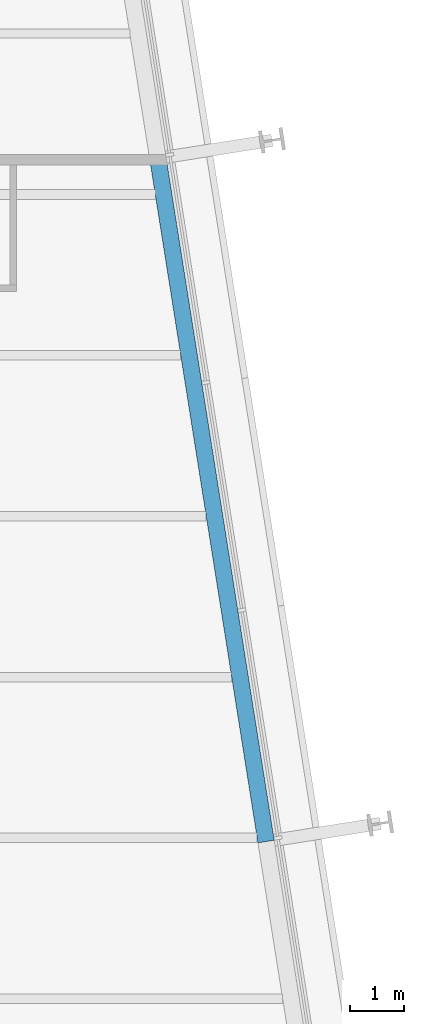
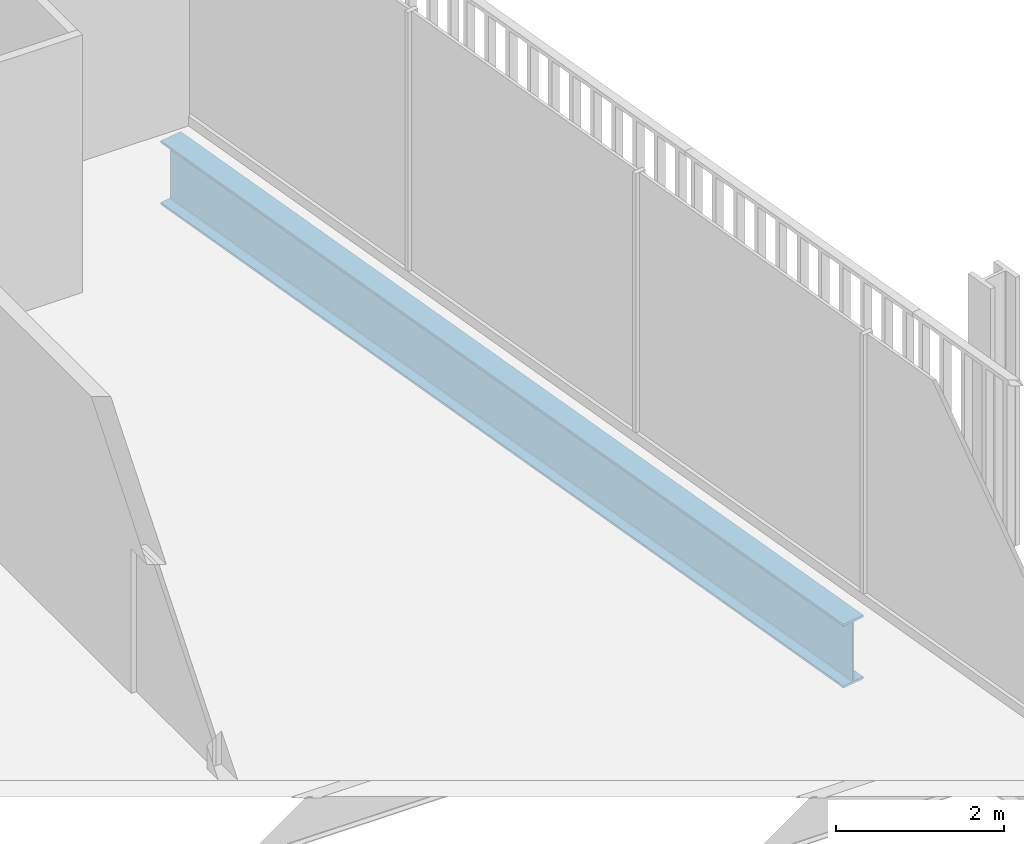
# One storey, part 9 of 21: 1 beam.
"""IFC4 building model written with IfcOpenShell, lengths in metres."""

import ifcopenshell
import ifcopenshell.guid

model = None  # the IFC model being written
_history = None  # IfcOwnerHistory: only IFC2X3 demands one
_inside = {}  # id of a spatial element -> (the spatial element, [elements in it])
_under = {}  # id of a project, library or spatial element -> (it, [spatial elements below it])
_declared = {}  # id of a project -> (the project, [libraries it declares])
_typed = {}  # id of a type object -> (the type object, [elements of that type])
_made_of = {}  # id of a material, layer set ... -> (it, [elements and type objects made of it])


def new_model(schema):
    """Start an empty IFC model of exactly this schema.

    Asked for "IFC4X3", IfcOpenShell would pick the latest addendum, in which some entities
    have other attributes; the version numbers below select the first issue.
    IFC2X3 requires an IfcOwnerHistory on every rooted entity: one is made here for all.
    """
    global model, _history
    if schema == "IFC4X3":
        model = ifcopenshell.file(schema_version=(4, 3, 0, 0))
    else:
        model = ifcopenshell.file(schema=schema)
    _inside.clear()
    _under.clear()
    _declared.clear()
    _typed.clear()
    _made_of.clear()
    _history = None
    if model.schema == "IFC2X3":
        org = make("IfcOrganization", Name="unknown")
        user = make(
            "IfcPersonAndOrganization",
            ThePerson=make("IfcPerson", FamilyName="unknown"),
            TheOrganization=org,
        )
        app = make(
            "IfcApplication",
            ApplicationDeveloper=org,
            Version="unknown",
            ApplicationFullName="unknown",
            ApplicationIdentifier="unknown",
        )
        _history = make(
            "IfcOwnerHistory",
            OwningUser=user,
            OwningApplication=app,
            ChangeAction="ADDED",
            CreationDate=0,
        )
    return model


def make(cls, **values):
    """One entity of the class cls with the attributes given. An attribute that is None is left unset."""
    return model.create_entity(
        cls, **{name: value for name, value in values.items() if value is not None}
    )


def rooted(cls, **values):
    """An entity with a GlobalId (a new one), such as an element, a storey or a relation."""
    return make(cls, GlobalId=ifcopenshell.guid.new(), OwnerHistory=_history, **values)


def si_unit(unit_type, name, prefix=None):
    """IfcSIUnit, for example si_unit("LENGTHUNIT", "METRE", prefix="MILLI")."""
    return make("IfcSIUnit", UnitType=unit_type, Prefix=prefix, Name=name)


def assignment(units):
    """IfcUnitAssignment: the units of a project."""
    return None if units is None else make("IfcUnitAssignment", Units=units)


def point(xyz):
    """IfcCartesianPoint."""
    return None if xyz is None else make("IfcCartesianPoint", Coordinates=xyz)


def direction(xyz):
    """IfcDirection."""
    return None if xyz is None else make("IfcDirection", DirectionRatios=xyz)


def frame(location, z_axis=None, x_axis=None):
    """IfcAxis2Placement3D, a coordinate frame: its origin and axes. An axis left out is left unset."""
    return make(
        "IfcAxis2Placement3D",
        Location=point(location),
        Axis=direction(z_axis),
        RefDirection=direction(x_axis),
    )


def frame_2d(location, x_axis=None):
    """IfcAxis2Placement2D, a coordinate frame in the plane: its origin and x axis."""
    return make(
        "IfcAxis2Placement2D", Location=point(location), RefDirection=direction(x_axis)
    )


def origin():
    """The frame at (0, 0, 0) with its axes left unset."""
    return frame((0.0, 0.0, 0.0))


def origin_2d():
    """The frame at (0, 0) in the plane with its x axis left unset."""
    return frame_2d((0.0, 0.0))


def place(relative_to, where):
    """IfcLocalPlacement: puts the frame where relative to a parent placement (None: the world)."""
    return make(
        "IfcLocalPlacement", PlacementRelTo=relative_to, RelativePlacement=where
    )


def context(
    kind, dimensions, precision=None, world=None, true_north=None, identifier=None
):
    """IfcGeometricRepresentationContext, for example the 3D "Model" context."""
    return make(
        "IfcGeometricRepresentationContext",
        ContextIdentifier=identifier,
        ContextType=kind,
        CoordinateSpaceDimension=dimensions,
        Precision=precision,
        WorldCoordinateSystem=world,
        TrueNorth=true_north,
    )


def subcontext(parent, identifier, kind, view, scale=None):
    """IfcGeometricRepresentationSubContext, for example "Body" below "Model"."""
    return make(
        "IfcGeometricRepresentationSubContext",
        ContextIdentifier=identifier,
        ContextType=kind,
        ParentContext=parent,
        TargetScale=scale,
        TargetView=view,
    )


def project(units=None, contexts=None):
    """IfcProject with its units and contexts."""
    return rooted(
        "IfcProject",
        Name="project",
        RepresentationContexts=contexts,
        UnitsInContext=assignment(units),
    )


def spatial(cls, under=None, at=None, **own):
    """A site, building, storey or space (cls), placed at a placement, below another one or the project."""
    s = rooted(cls, ObjectPlacement=at, **own)
    if under is not None:
        _under.setdefault(under.id(), (under, []))[1].append(s)
    return s


def profile(cls, at=None, kind="AREA", **sizes):
    """A parametric profile (cls). Its sizes go by their IFC names, for example OverallWidth=200.0."""
    return make(cls, ProfileType=kind, Position=at, **sizes)


def i_section(**sizes):
    """IfcIShapeProfileDef."""
    return profile("IfcIShapeProfileDef", **sizes)


def extrude(swept, where, along, depth):
    """IfcExtrudedAreaSolid: the profile swept, set in the frame where, extruded along a direction by depth."""
    return make(
        "IfcExtrudedAreaSolid",
        SweptArea=swept,
        Position=where,
        ExtrudedDirection=direction(along),
        Depth=depth,
    )


def shape(context_of_items, identifier, shape_type, items):
    """IfcShapeRepresentation: the items that make up one representation, for example the "Body"."""
    return make(
        "IfcShapeRepresentation",
        ContextOfItems=context_of_items,
        RepresentationIdentifier=identifier,
        RepresentationType=shape_type,
        Items=items,
    )


def material(Name=None, Category=None):
    """IfcMaterial."""
    return make("IfcMaterial", Name=Name, Category=Category)


def material_profile(
    of_material, cross_section, Name=None, Category=None, Priority=None
):
    """IfcMaterialProfile: a cross section and its material."""
    return make(
        "IfcMaterialProfile",
        Name=Name,
        Material=of_material,
        Profile=cross_section,
        Priority=Priority,
        Category=Category,
    )


def profile_set(profiles, Name=None, composite=None):
    """IfcMaterialProfileSet."""
    return make(
        "IfcMaterialProfileSet",
        Name=Name,
        MaterialProfiles=profiles,
        CompositeProfile=composite,
    )


def made_of(thing, what):
    """Note that an element or type object is made of a material, layer set ...; save() writes the relation."""
    if what is not None:
        _made_of.setdefault(what.id(), (what, []))[1].append(thing)
    return thing


def type_object(cls, material=None, **own):
    """A type object (cls), such as IfcWallType, which elements share."""
    return made_of(rooted(cls, **own), material)


def element(
    cls,
    number,
    at=None,
    inside=None,
    cuts=None,
    type_object=None,
    material=None,
    context=None,
    identifier="Body",
    shape_type=None,
    held_by="IfcProductDefinitionShape",
    body=None,
    shapes=None,
    **own,
):
    """One element of the class cls, such as IfcWall. Its Tag is "e" and its number.

    at: its placement. inside: the storey or other place that contains it. cuts: it is an
    opening in that element (IfcRelVoidsElement). A single representation is given by context,
    identifier, shape_type and body (its items); several are given by shapes. held_by: the class
    of the entity that holds the representations. save() writes the other relations.
    """
    e = rooted(cls, Tag="e%d" % number, ObjectPlacement=at, **own)
    if body is not None:
        shapes = [shape(context, identifier, shape_type, body)]
    if shapes is not None:
        e.Representation = make(held_by, Representations=shapes)
    if inside is not None:
        _inside.setdefault(inside.id(), (inside, []))[1].append(e)
    if cuts is not None:
        rooted(
            "IfcRelVoidsElement", RelatingBuildingElement=cuts, RelatedOpeningElement=e
        )
    if type_object is not None:
        _typed.setdefault(type_object.id(), (type_object, []))[1].append(e)
    return made_of(e, material)


def aggregate(whole, parts):
    """IfcRelAggregates: a whole, such as a stair, and the parts it consists of."""
    return rooted("IfcRelAggregates", RelatingObject=whole, RelatedObjects=parts)


def save(model, path):
    """Write the relations noted so far, then the file.

    IfcRelAggregates (storeys below a building ...), IfcRelContainedInSpatialStructure (elements
    in a storey), IfcRelDefinesByType, IfcRelAssociatesMaterial and IfcRelDeclares: one each for
    every whole, place, type object, material and project.
    """
    for whole, parts in _under.values():
        aggregate(whole, parts)
    for where, things in _inside.values():
        rooted(
            "IfcRelContainedInSpatialStructure",
            RelatedElements=things,
            RelatingStructure=where,
        )
    for kind, things in _typed.values():
        rooted("IfcRelDefinesByType", RelatedObjects=things, RelatingType=kind)
    for what, things in _made_of.values():
        rooted("IfcRelAssociatesMaterial", RelatedObjects=things, RelatingMaterial=what)
    for by, libraries in _declared.values():
        rooted("IfcRelDeclares", RelatingContext=by, RelatedDefinitions=libraries)
    model.write(path)


model = new_model("IFC4")

# Units and contexts
model_context = context("Model", 3, precision=1e-05, world=origin(), true_north=direction((0.0, 1.0)))
body_context = subcontext(model_context, "Body", "Model", "MODEL_VIEW")
ifc_project = project(units=[si_unit("LENGTHUNIT", "METRE"), si_unit("AREAUNIT", "SQUARE_METRE"), si_unit("VOLUMEUNIT", "CUBIC_METRE"), si_unit("PLANEANGLEUNIT", "RADIAN"), si_unit("MASSUNIT", "GRAM", prefix="KILO")], contexts=[model_context])

# Site, building, storey
site_placement = place(None, origin())
site = spatial("IfcSite", under=ifc_project, at=site_placement, CompositionType="ELEMENT")
building_placement = place(site_placement, origin())
building = spatial("IfcBuilding", under=site, at=building_placement, Name="Millrace Tower", CompositionType="ELEMENT")
storey_placement = place(building_placement, frame((0.0, 0.0, 149.0)))
storey = spatial("IfcBuildingStorey", under=building, at=storey_placement, Name="L33", CompositionType="ELEMENT", Elevation=149.0)

# Beam
ifc_material = material(Name="Steel ASTM A992 Grade 50", Category="steel")
ifc_material_profile = material_profile(ifc_material, i_section(OverallWidth=0.307373046875, OverallDepth=0.927001953125, WebThickness=0.01953125, FlangeThickness=0.031982421875, FilletRadius=0.01904296875, at=origin_2d()))
ifc_profile_set = profile_set([ifc_material_profile], Name="Steel ASTM A992 Grade 50")
beam_type = type_object("IfcBeamType", Name="Ring beam medium span W36x194", PredefinedType="SPANDREL", material=ifc_profile_set)
beam_placement = place(storey_placement, frame((23.25, 9.6728515625, -0.62353515625), z_axis=(0.15642030113, -0.987690583834, 0.0), x_axis=(0.987690583834, 0.15642030113, 0.0)))
element("IfcBeam", 1, at=beam_placement, inside=storey, type_object=beam_type, Name="RNG-C-L33-S1-10", PredefinedType="SPANDREL", context=body_context, shape_type="SweptSolid", body=[
    extrude(i_section(OverallWidth=0.307373046875, OverallDepth=0.927001953125, WebThickness=0.01953125, FlangeThickness=0.031982421875, FilletRadius=0.01904296875, at=origin_2d()), origin(), (0.0, 0.0, 1.0), 12.89990234375),
])

save(model, "model.ifc")
